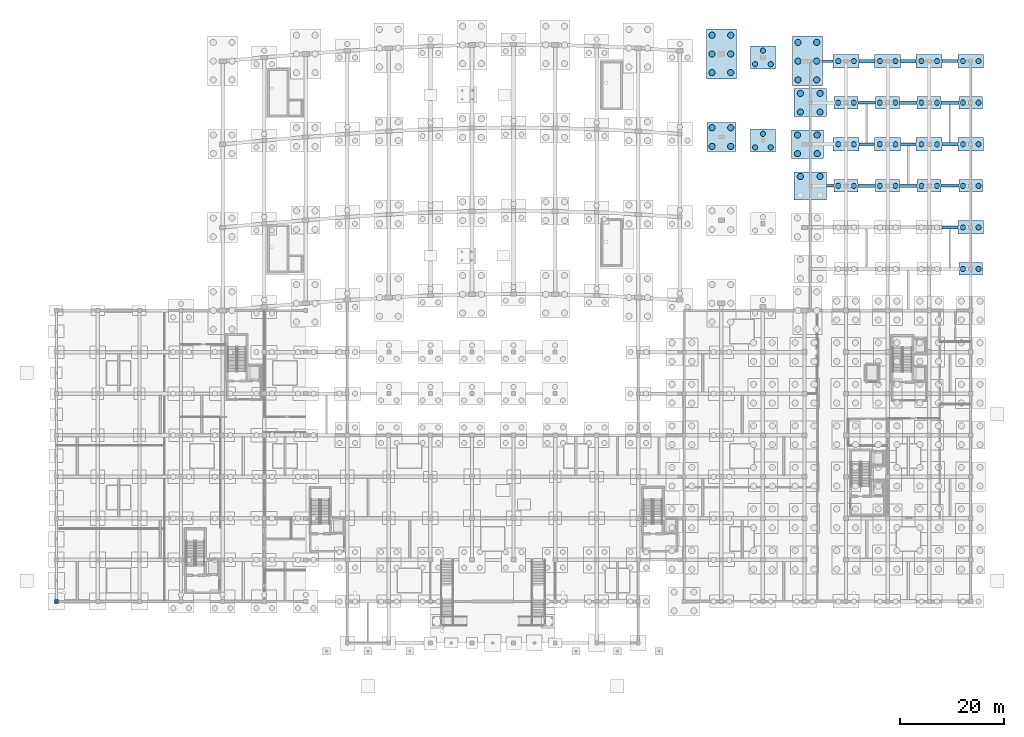
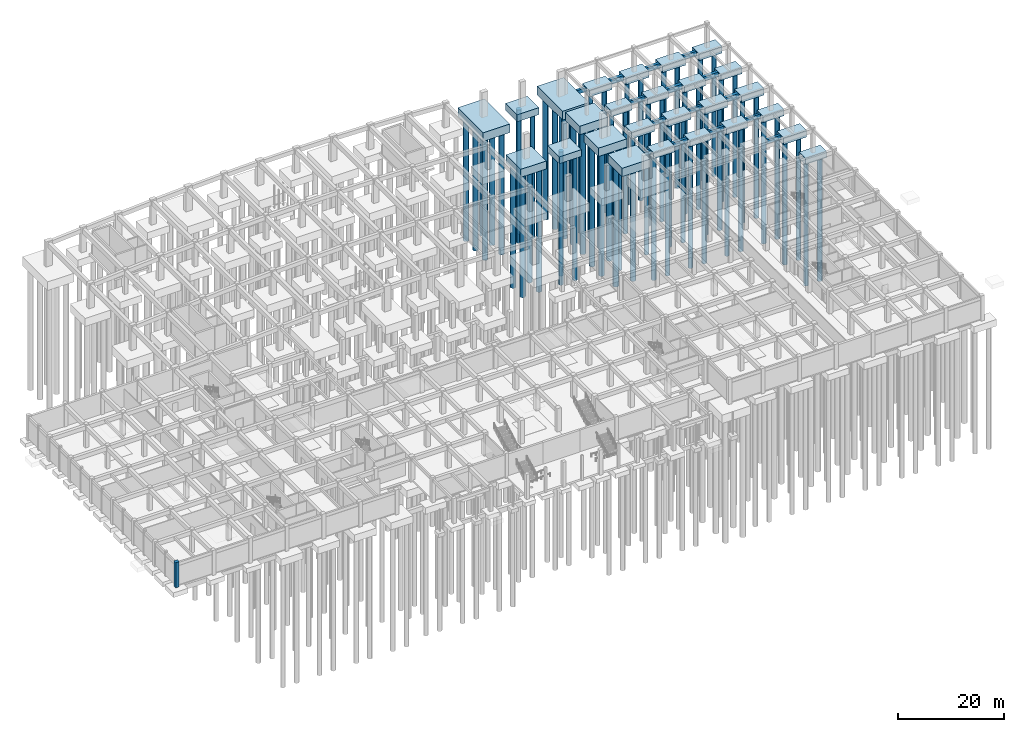
# One storey, part 9 of 45: 68 piles, 41 footings, 1 column.
"""IFC4 building model written with IfcOpenShell, lengths in metres."""

from ifc_helpers import new_model, si_unit, direction, frame, origin, origin_2d, place, context, subcontext, project, spatial, rectangle, circle, extrude, material, material_profile, profile_set, type_object, element, save


model = new_model("IFC4")

# Units and contexts
model_context = context("Model", 3, precision=1e-05, world=origin(), true_north=direction((0.0, 1.0)))
body_context = subcontext(model_context, "Body", "Model", "MODEL_VIEW")
ifc_project = project(units=[si_unit("LENGTHUNIT", "METRE"), si_unit("AREAUNIT", "SQUARE_METRE"), si_unit("VOLUMEUNIT", "CUBIC_METRE"), si_unit("PLANEANGLEUNIT", "RADIAN"), si_unit("MASSUNIT", "GRAM", prefix="KILO")], contexts=[model_context])

# Site, building, storey
site_placement = place(None, origin())
site = spatial("IfcSite", under=ifc_project, at=site_placement, CompositionType="ELEMENT")
building_placement = place(site_placement, origin())
building = spatial("IfcBuilding", under=site, at=building_placement, Name="Kenh Van Central Station", CompositionType="ELEMENT")
storey_placement = place(building_placement, frame((0.0, 0.0, -5.39990234375)))
storey = spatial("IfcBuildingStorey", under=building, at=storey_placement, Name="B1", CompositionType="ELEMENT", Elevation=-5.39990234375)

# Footings
ifc_material = material(Name="Concrete C40/50", Category="concrete")
ifc_material_profile_1 = material_profile(ifc_material, rectangle(XDim=0.5, YDim=0.89990234375, at=origin_2d()), Name="RC 500x900")
ifc_profile_set_1 = profile_set([ifc_material_profile_1], Name="Concrete C40/50")
footing_type_1 = type_object("IfcFootingType", Name="FBM-500x900", PredefinedType="FOOTING_BEAM", material=ifc_profile_set_1)
footing_1_placement = place(storey_placement, frame((147.449951171875, 112.0, -0.85009765625), z_axis=(1.0, 0.0, 0.0), x_axis=(0.0, 1.0, 0.0)))
element("IfcFooting", 1, at=footing_1_placement, inside=storey, type_object=footing_type_1, Name="Ground tie beam 004", PredefinedType="FOOTING_BEAM", context=body_context, shape_type="SweptSolid", body=[
    extrude(rectangle(XDim=0.5, YDim=0.89990234375, at=origin_2d()), origin(), (0.0, 0.0, 1.0), 2.050048828125),
])
footing_2_placement = place(storey_placement, frame((148.199951171875, 88.0, -0.85009765625), z_axis=(1.0, 0.0, 0.0), x_axis=(0.0, 1.0, 0.0)))
element("IfcFooting", 2, at=footing_2_placement, inside=storey, type_object=footing_type_1, Name="Ground tie beam 129", PredefinedType="FOOTING_BEAM", context=body_context, shape_type="SweptSolid", body=[
    extrude(rectangle(XDim=0.5, YDim=0.89990234375, at=origin_2d()), origin(), (0.0, 0.0, 1.0), 1.5),
])
footing_3_placement = place(storey_placement, frame((154.300048828125, 104.0, -0.85009765625), z_axis=(1.0, 0.0, 0.0), x_axis=(0.0, 1.0, 0.0)))
element("IfcFooting", 3, at=footing_3_placement, inside=storey, type_object=footing_type_1, Name="Ground tie beam 134", PredefinedType="FOOTING_BEAM", context=body_context, shape_type="SweptSolid", body=[
    extrude(rectangle(XDim=0.5, YDim=0.89990234375, at=origin_2d()), origin(), (0.0, 0.0, 1.0), 3.39990234375),
])
footing_4_placement = place(storey_placement, frame((162.5, 96.0, -0.85009765625), z_axis=(1.0, 0.0, 0.0), x_axis=(0.0, 1.0, 0.0)))
element("IfcFooting", 4, at=footing_4_placement, inside=storey, type_object=footing_type_1, Name="Ground tie beam 139", PredefinedType="FOOTING_BEAM", context=body_context, shape_type="SweptSolid", body=[
    extrude(rectangle(XDim=0.5, YDim=0.89990234375, at=origin_2d()), origin(), (0.0, 0.0, 1.0), 3.0),
])
footing_5_placement = place(storey_placement, frame((170.300048828125, 88.0, -0.85009765625), z_axis=(1.0, 0.0, 0.0), x_axis=(0.0, 1.0, 0.0)))
element("IfcFooting", 5, at=footing_5_placement, inside=storey, type_object=footing_type_1, Name="Ground tie beam 144", PredefinedType="FOOTING_BEAM", context=body_context, shape_type="SweptSolid", body=[
    extrude(rectangle(XDim=0.5, YDim=0.89990234375, at=origin_2d()), origin(), (0.0, 0.0, 1.0), 3.39990234375),
])
ifc_material_profile_2 = material_profile(ifc_material, rectangle(XDim=0.550048828125, YDim=0.949951171875, at=origin_2d()), Name="RC 550x950")
ifc_profile_set_2 = profile_set([ifc_material_profile_2], Name="Concrete C40/50")
footing_type_2 = type_object("IfcFootingType", Name="FBM-550x950", PredefinedType="FOOTING_BEAM", material=ifc_profile_set_2)
footing_6_placement = place(storey_placement, frame((154.5, 96.0, -0.875), z_axis=(1.0, 0.0, 0.0), x_axis=(0.0, 1.0, 0.0)))
element("IfcFooting", 6, at=footing_6_placement, inside=storey, type_object=footing_type_2, Name="Ground tie beam 133", PredefinedType="FOOTING_BEAM", context=body_context, shape_type="SweptSolid", body=[
    extrude(rectangle(XDim=0.550048828125, YDim=0.949951171875, at=origin_2d()), origin(), (0.0, 0.0, 1.0), 3.0),
])
footing_7_placement = place(storey_placement, frame((162.300048828125, 88.0, -0.875), z_axis=(1.0, 0.0, 0.0), x_axis=(0.0, 1.0, 0.0)))
element("IfcFooting", 7, at=footing_7_placement, inside=storey, type_object=footing_type_2, Name="Ground tie beam 138", PredefinedType="FOOTING_BEAM", context=body_context, shape_type="SweptSolid", body=[
    extrude(rectangle(XDim=0.550048828125, YDim=0.949951171875, at=origin_2d()), origin(), (0.0, 0.0, 1.0), 3.39990234375),
])
footing_8_placement = place(storey_placement, frame((170.5, 80.0, -0.875), z_axis=(1.0, 0.0, 0.0), x_axis=(0.0, 1.0, 0.0)))
element("IfcFooting", 8, at=footing_8_placement, inside=storey, type_object=footing_type_2, Name="Ground tie beam 143", PredefinedType="FOOTING_BEAM", context=body_context, shape_type="SweptSolid", body=[
    extrude(rectangle(XDim=0.550048828125, YDim=0.949951171875, at=origin_2d()), origin(), (0.0, 0.0, 1.0), 3.0),
])
ifc_material_profile_3 = material_profile(ifc_material, rectangle(XDim=0.60009765625, YDim=1.0, at=origin_2d()), Name="RC 600x1000")
ifc_profile_set_3 = profile_set([ifc_material_profile_3], Name="Concrete C40/50")
footing_type_3 = type_object("IfcFootingType", Name="FBM-600x1000", PredefinedType="FOOTING_BEAM", material=ifc_profile_set_3)
footing_9_placement = place(storey_placement, frame((154.300048828125, 88.0, -0.900146484375), z_axis=(1.0, 0.0, 0.0), x_axis=(0.0, 1.0, 0.0)))
element("IfcFooting", 9, at=footing_9_placement, inside=storey, type_object=footing_type_3, Name="Ground tie beam 132", PredefinedType="FOOTING_BEAM", context=body_context, shape_type="SweptSolid", body=[
    extrude(rectangle(XDim=0.60009765625, YDim=1.0, at=origin_2d()), origin(), (0.0, 0.0, 1.0), 3.39990234375),
])
footing_10_placement = place(storey_placement, frame((170.5, 112.0, -0.900146484375), z_axis=(1.0, 0.0, 0.0), x_axis=(0.0, 1.0, 0.0)))
element("IfcFooting", 10, at=footing_10_placement, inside=storey, type_object=footing_type_3, Name="Ground tie beam 147", PredefinedType="FOOTING_BEAM", context=body_context, shape_type="SweptSolid", body=[
    extrude(rectangle(XDim=0.60009765625, YDim=1.0, at=origin_2d()), origin(), (0.0, 0.0, 1.0), 3.0),
])
ifc_material_profile_4 = material_profile(ifc_material, rectangle(XDim=0.64990234375, YDim=1.050048828125, at=origin_2d()), Name="RC 650x1050")
ifc_profile_set_4 = profile_set([ifc_material_profile_4], Name="Concrete C40/50")
footing_type_4 = type_object("IfcFootingType", Name="FBM-650x1050", PredefinedType="FOOTING_BEAM", material=ifc_profile_set_4)
footing_11_placement = place(storey_placement, frame((162.5, 112.0, -0.925048828125), z_axis=(1.0, 0.0, 0.0), x_axis=(0.0, 1.0, 0.0)))
element("IfcFooting", 11, at=footing_11_placement, inside=storey, type_object=footing_type_4, Name="Ground tie beam 141", PredefinedType="FOOTING_BEAM", context=body_context, shape_type="SweptSolid", body=[
    extrude(rectangle(XDim=0.64990234375, YDim=1.050048828125, at=origin_2d()), origin(), (0.0, 0.0, 1.0), 3.0),
])
footing_12_placement = place(storey_placement, frame((170.300048828125, 104.0, -0.925048828125), z_axis=(1.0, 0.0, 0.0), x_axis=(0.0, 1.0, 0.0)))
element("IfcFooting", 12, at=footing_12_placement, inside=storey, type_object=footing_type_4, Name="Ground tie beam 146", PredefinedType="FOOTING_BEAM", context=body_context, shape_type="SweptSolid", body=[
    extrude(rectangle(XDim=0.64990234375, YDim=1.050048828125, at=origin_2d()), origin(), (0.0, 0.0, 1.0), 3.39990234375),
])
ifc_material_profile_5 = material_profile(ifc_material, rectangle(XDim=0.699951171875, YDim=1.14990234375, at=origin_2d()), Name="RC 700x1150")
ifc_profile_set_5 = profile_set([ifc_material_profile_5], Name="Concrete C40/50")
footing_type_5 = type_object("IfcFootingType", Name="FBM-700x1150", PredefinedType="FOOTING_BEAM", material=ifc_profile_set_5)
footing_13_placement = place(storey_placement, frame((154.5, 112.0, -0.97509765625), z_axis=(1.0, 0.0, 0.0), x_axis=(0.0, 1.0, 0.0)))
element("IfcFooting", 13, at=footing_13_placement, inside=storey, type_object=footing_type_5, Name="Ground tie beam 135", PredefinedType="FOOTING_BEAM", context=body_context, shape_type="SweptSolid", body=[
    extrude(rectangle(XDim=0.699951171875, YDim=1.14990234375, at=origin_2d()), origin(), (0.0, 0.0, 1.0), 3.0),
])
footing_14_placement = place(storey_placement, frame((162.300048828125, 104.0, -0.97509765625), z_axis=(1.0, 0.0, 0.0), x_axis=(0.0, 1.0, 0.0)))
element("IfcFooting", 14, at=footing_14_placement, inside=storey, type_object=footing_type_5, Name="Ground tie beam 140", PredefinedType="FOOTING_BEAM", context=body_context, shape_type="SweptSolid", body=[
    extrude(rectangle(XDim=0.699951171875, YDim=1.14990234375, at=origin_2d()), origin(), (0.0, 0.0, 1.0), 3.39990234375),
])
footing_15_placement = place(storey_placement, frame((170.5, 96.0, -0.97509765625), z_axis=(1.0, 0.0, 0.0), x_axis=(0.0, 1.0, 0.0)))
element("IfcFooting", 15, at=footing_15_placement, inside=storey, type_object=footing_type_5, Name="Ground tie beam 145", PredefinedType="FOOTING_BEAM", context=body_context, shape_type="SweptSolid", body=[
    extrude(rectangle(XDim=0.699951171875, YDim=1.14990234375, at=origin_2d()), origin(), (0.0, 0.0, 1.0), 3.0),
])
footing_type_6 = type_object("IfcFootingType", Name="FCAP-2P-4600x2400x1450", PredefinedType="PILE_CAP", material=ifc_material)
for number, where, z_axis, x_axis, name in (
    (16, (152.0, 88.0, -1.85009765625), (0.0, 0.0, 1.0), (1.0, 0.0, 0.0), "Foundation FDN-249"),
    (17, (152.0, 104.0, -1.85009765625), (0.0, 0.0, 1.0), (1.0, 0.0, 0.0), "Foundation FDN-251"),
    (18, (160.0, 88.0, -1.85009765625), (0.0, 0.0, 1.0), (1.0, 0.0, 0.0), "Foundation FDN-255"),
    (19, (160.0, 104.0, -1.85009765625), (0.0, 0.0, 1.0), (1.0, 0.0, 0.0), "Foundation FDN-257"),
    (20, (168.0, 88.0, -1.85009765625), (0.0, 0.0, 1.0), (1.0, 0.0, 0.0), "Foundation FDN-261"),
    (21, (168.0, 104.0, -1.85009765625), (0.0, 0.0, 1.0), (1.0, 0.0, 0.0), "Foundation FDN-263"),
    (22, (176.0, 72.0, -1.85009765625), (0.0, 0.0, 1.0), (1.0, 0.0, 0.0), "Foundation FDN-265"),
    (23, (176.0, 88.0, -1.85009765625), (0.0, 0.0, 1.0), (1.0, 0.0, 0.0), "Foundation FDN-267"),
    (24, (176.0, 104.0, -1.85009765625), (0.0, 0.0, 1.0), (1.0, 0.0, 0.0), "Foundation FDN-269"),
):
    element("IfcFooting", number, at=place(storey_placement, frame(where, z_axis=z_axis, x_axis=x_axis)), inside=storey, type_object=footing_type_6, Name=name, PredefinedType="PILE_CAP", context=body_context, shape_type="SweptSolid", body=[
        extrude(rectangle(XDim=4.60009765625, YDim=2.39990234375, at=origin_2d()), origin(), (0.0, 0.0, 1.0), 1.449951171875),
    ])
footing_type_7 = type_object("IfcFootingType", Name="FCAP-2P-5000x2600x1550", PredefinedType="PILE_CAP", material=ifc_material)
for number, where, z_axis, x_axis, name in (
    (25, (152.0, 96.0, -1.9501953125), (0.0, 0.0, 1.0), (1.0, 0.0, 0.0), "Foundation FDN-250"),
    (26, (152.0, 112.0, -1.9501953125), (0.0, 0.0, 1.0), (1.0, 0.0, 0.0), "Foundation FDN-252"),
    (27, (160.0, 96.0, -1.9501953125), (0.0, 0.0, 1.0), (1.0, 0.0, 0.0), "Foundation FDN-256"),
    (28, (160.0, 112.0, -1.9501953125), (0.0, 0.0, 1.0), (1.0, 0.0, 0.0), "Foundation FDN-258"),
    (29, (168.0, 96.0, -1.9501953125), (0.0, 0.0, 1.0), (1.0, 0.0, 0.0), "Foundation FDN-262"),
    (30, (168.0, 112.0, -1.9501953125), (0.0, 0.0, 1.0), (1.0, 0.0, 0.0), "Foundation FDN-264"),
    (31, (176.0, 80.0, -1.9501953125), (0.0, 0.0, 1.0), (1.0, 0.0, 0.0), "Foundation FDN-266"),
    (32, (176.0, 96.0, -1.9501953125), (0.0, 0.0, 1.0), (1.0, 0.0, 0.0), "Foundation FDN-268"),
    (33, (176.0, 112.0, -1.9501953125), (0.0, 0.0, 1.0), (1.0, 0.0, 0.0), "Foundation FDN-270"),
):
    element("IfcFooting", number, at=place(storey_placement, frame(where, z_axis=z_axis, x_axis=x_axis)), inside=storey, type_object=footing_type_7, Name=name, PredefinedType="PILE_CAP", context=body_context, shape_type="SweptSolid", body=[
        extrude(rectangle(XDim=5.0, YDim=2.60009765625, at=origin_2d()), origin(), (0.0, 0.0, 1.0), 1.550048828125),
    ])
footing_type_8 = type_object("IfcFootingType", Name="FCAP-3P-4800x4400x1600", PredefinedType="PILE_CAP", material=ifc_material)
for number, where, z_axis, x_axis, name in (
    (34, (136.0, 96.712158203125, -2.000244140625), (0.0, 0.0, 1.0), (1.0, 0.0, 0.0), "Foundation FDN-055"),
    (35, (136.0, 112.712158203125, -2.000244140625), (0.0, 0.0, 1.0), (1.0, 0.0, 0.0), "Foundation FDN-056"),
):
    element("IfcFooting", number, at=place(storey_placement, frame(where, z_axis=z_axis, x_axis=x_axis)), inside=storey, type_object=footing_type_8, Name=name, PredefinedType="PILE_CAP", context=body_context, shape_type="SweptSolid", body=[
        extrude(rectangle(XDim=4.800048828125, YDim=4.39990234375, at=origin_2d()), origin(), (0.0, 0.0, 1.0), 1.60009765625),
    ])
footing_type_9 = type_object("IfcFootingType", Name="FCAP-4P-5600x5600x1850", PredefinedType="PILE_CAP", material=ifc_material)
footing_16_placement = place(storey_placement, frame((128.0, 97.388427734375, -2.250244140625), z_axis=(0.0, 0.0, 1.0), x_axis=(1.0, 0.0, 0.0)))
element("IfcFooting", 36, at=footing_16_placement, inside=storey, type_object=footing_type_9, Name="Foundation FDN-051", PredefinedType="PILE_CAP", context=body_context, shape_type="SweptSolid", body=[
    extrude(rectangle(XDim=5.60009765625, YDim=5.60009765625, at=origin_2d()), origin(), (0.0, 0.0, 1.0), 1.85009765625),
])
footing_type_10 = type_object("IfcFootingType", Name="FCAP-4P-6200x5400x1950", PredefinedType="PILE_CAP", material=ifc_material)
for number, where, z_axis, x_axis, name in (
    (37, (144.550048828125, 96.0, -2.35009765625), (0.0, 0.0, 1.0), (1.0, 0.0, 0.0), "Foundation FDN-059"),
    (38, (145.10009765625, 88.0, -2.35009765625), (0.0, 0.0, 1.0), (1.0, 0.0, 0.0), "Foundation FDN-245"),
    (39, (145.10009765625, 104.0, -2.35009765625), (0.0, 0.0, 1.0), (1.0, 0.0, 0.0), "Foundation FDN-246"),
):
    element("IfcFooting", number, at=place(storey_placement, frame(where, z_axis=z_axis, x_axis=x_axis)), inside=storey, type_object=footing_type_10, Name=name, PredefinedType="PILE_CAP", context=body_context, shape_type="SweptSolid", body=[
        extrude(rectangle(XDim=6.199951171875, YDim=5.39990234375, at=origin_2d()), origin(), (0.0, 0.0, 1.0), 1.949951171875),
    ])
footing_type_11 = type_object("IfcFootingType", Name="FCAP-6P-9600x5800x2000", PredefinedType="PILE_CAP", material=ifc_material)
for number, where, z_axis, x_axis, name in (
    (40, (128.0, 113.388427734375, -2.400146484375), (0.0, 0.0, 1.0), (0.0, 1.0, 0.0), "Foundation FDN-052"),
    (41, (144.550048828125, 112.0, -2.400146484375), (0.0, 0.0, 1.0), (0.0, 1.0, 0.0), "Foundation FDN-060"),
):
    element("IfcFooting", number, at=place(storey_placement, frame(where, z_axis=z_axis, x_axis=x_axis)), inside=storey, type_object=footing_type_11, Name=name, PredefinedType="PILE_CAP", context=body_context, shape_type="SweptSolid", body=[
        extrude(rectangle(XDim=9.60009765625, YDim=5.800048828125, at=origin_2d()), origin(), (0.0, 0.0, 1.0), 2.0),
    ])

# Piles
ifc_material_profile_6 = material_profile(ifc_material, circle(Radius=0.5, at=origin_2d()), Name="PILE D1000")
ifc_profile_set_6 = profile_set([ifc_material_profile_6], Name="Concrete C40/50")
pile_type_1 = type_object("IfcPileType", Name="PILE-BORED-1000", PredefinedType="BORED", material=ifc_profile_set_6)
for number, where, z_axis, x_axis, name in (
    (42, (134.5, 95.412109375, -1.900146484375), (0.0, 0.0, -1.0), (1.0, 0.0, 0.0), "Bored pile 0219"),
    (43, (137.5, 95.412109375, -1.900146484375), (0.0, 0.0, -1.0), (1.0, 0.0, 0.0), "Bored pile 0220"),
    (44, (136.0, 98.01220703125, -1.900146484375), (0.0, 0.0, -1.0), (1.0, 0.0, 0.0), "Bored pile 0221"),
    (45, (134.5, 111.412109375, -1.900146484375), (0.0, 0.0, -1.0), (1.0, 0.0, 0.0), "Bored pile 0222"),
    (46, (137.5, 111.412109375, -1.900146484375), (0.0, 0.0, -1.0), (1.0, 0.0, 0.0), "Bored pile 0223"),
    (47, (136.0, 114.01220703125, -1.900146484375), (0.0, 0.0, -1.0), (1.0, 0.0, 0.0), "Bored pile 0224"),
):
    element("IfcPile", number, at=place(storey_placement, frame(where, z_axis=z_axis, x_axis=x_axis)), inside=storey, type_object=pile_type_1, Name=name, PredefinedType="BORED", context=body_context, shape_type="SweptSolid", body=[
        extrude(circle(Radius=0.5, at=origin_2d()), origin(), (0.0, 0.0, 1.0), 28.699951171875),
    ])
for number, where, z_axis, x_axis, name in (
    (48, (150.5, 88.0, -1.75), (0.0, 0.0, -1.0), (1.0, 0.0, 0.0), "Bored pile 0652"),
    (49, (153.5, 88.0, -1.75), (0.0, 0.0, -1.0), (1.0, 0.0, 0.0), "Bored pile 0653"),
):
    element("IfcPile", number, at=place(storey_placement, frame(where, z_axis=z_axis, x_axis=x_axis)), inside=storey, type_object=pile_type_1, Name=name, PredefinedType="BORED", context=body_context, shape_type="SweptSolid", body=[
        extrude(circle(Radius=0.5, at=origin_2d()), origin(), (0.0, 0.0, 1.0), 28.85009765625),
    ])
for number, where, z_axis, x_axis, name in (
    (50, (150.5, 96.0, -1.85009765625), (0.0, 0.0, -1.0), (1.0, 0.0, 0.0), "Bored pile 0654"),
    (51, (153.5, 96.0, -1.85009765625), (0.0, 0.0, -1.0), (1.0, 0.0, 0.0), "Bored pile 0655"),
):
    element("IfcPile", number, at=place(storey_placement, frame(where, z_axis=z_axis, x_axis=x_axis)), inside=storey, type_object=pile_type_1, Name=name, PredefinedType="BORED", context=body_context, shape_type="SweptSolid", body=[
        extrude(circle(Radius=0.5, at=origin_2d()), origin(), (0.0, 0.0, 1.0), 28.75),
    ])
for number, where, z_axis, x_axis, name in (
    (52, (150.5, 104.0, -1.75), (0.0, 0.0, -1.0), (1.0, 0.0, 0.0), "Bored pile 0656"),
    (53, (153.5, 104.0, -1.75), (0.0, 0.0, -1.0), (1.0, 0.0, 0.0), "Bored pile 0657"),
):
    element("IfcPile", number, at=place(storey_placement, frame(where, z_axis=z_axis, x_axis=x_axis)), inside=storey, type_object=pile_type_1, Name=name, PredefinedType="BORED", context=body_context, shape_type="SweptSolid", body=[
        extrude(circle(Radius=0.5, at=origin_2d()), origin(), (0.0, 0.0, 1.0), 28.85009765625),
    ])
for number, where, z_axis, x_axis, name in (
    (54, (150.5, 112.0, -1.85009765625), (0.0, 0.0, -1.0), (1.0, 0.0, 0.0), "Bored pile 0658"),
    (55, (153.5, 112.0, -1.85009765625), (0.0, 0.0, -1.0), (1.0, 0.0, 0.0), "Bored pile 0659"),
):
    element("IfcPile", number, at=place(storey_placement, frame(where, z_axis=z_axis, x_axis=x_axis)), inside=storey, type_object=pile_type_1, Name=name, PredefinedType="BORED", context=body_context, shape_type="SweptSolid", body=[
        extrude(circle(Radius=0.5, at=origin_2d()), origin(), (0.0, 0.0, 1.0), 28.75),
    ])
for number, where, z_axis, x_axis, name in (
    (56, (158.5, 88.0, -1.75), (0.0, 0.0, -1.0), (1.0, 0.0, 0.0), "Bored pile 0664"),
    (57, (161.5, 88.0, -1.75), (0.0, 0.0, -1.0), (1.0, 0.0, 0.0), "Bored pile 0665"),
):
    element("IfcPile", number, at=place(storey_placement, frame(where, z_axis=z_axis, x_axis=x_axis)), inside=storey, type_object=pile_type_1, Name=name, PredefinedType="BORED", context=body_context, shape_type="SweptSolid", body=[
        extrude(circle(Radius=0.5, at=origin_2d()), origin(), (0.0, 0.0, 1.0), 28.85009765625),
    ])
for number, where, z_axis, x_axis, name in (
    (58, (158.5, 96.0, -1.85009765625), (0.0, 0.0, -1.0), (1.0, 0.0, 0.0), "Bored pile 0666"),
    (59, (161.5, 96.0, -1.85009765625), (0.0, 0.0, -1.0), (1.0, 0.0, 0.0), "Bored pile 0667"),
):
    element("IfcPile", number, at=place(storey_placement, frame(where, z_axis=z_axis, x_axis=x_axis)), inside=storey, type_object=pile_type_1, Name=name, PredefinedType="BORED", context=body_context, shape_type="SweptSolid", body=[
        extrude(circle(Radius=0.5, at=origin_2d()), origin(), (0.0, 0.0, 1.0), 28.75),
    ])
for number, where, z_axis, x_axis, name in (
    (60, (158.5, 104.0, -1.75), (0.0, 0.0, -1.0), (1.0, 0.0, 0.0), "Bored pile 0668"),
    (61, (161.5, 104.0, -1.75), (0.0, 0.0, -1.0), (1.0, 0.0, 0.0), "Bored pile 0669"),
):
    element("IfcPile", number, at=place(storey_placement, frame(where, z_axis=z_axis, x_axis=x_axis)), inside=storey, type_object=pile_type_1, Name=name, PredefinedType="BORED", context=body_context, shape_type="SweptSolid", body=[
        extrude(circle(Radius=0.5, at=origin_2d()), origin(), (0.0, 0.0, 1.0), 28.85009765625),
    ])
for number, where, z_axis, x_axis, name in (
    (62, (158.5, 112.0, -1.85009765625), (0.0, 0.0, -1.0), (1.0, 0.0, 0.0), "Bored pile 0670"),
    (63, (161.5, 112.0, -1.85009765625), (0.0, 0.0, -1.0), (1.0, 0.0, 0.0), "Bored pile 0671"),
):
    element("IfcPile", number, at=place(storey_placement, frame(where, z_axis=z_axis, x_axis=x_axis)), inside=storey, type_object=pile_type_1, Name=name, PredefinedType="BORED", context=body_context, shape_type="SweptSolid", body=[
        extrude(circle(Radius=0.5, at=origin_2d()), origin(), (0.0, 0.0, 1.0), 28.75),
    ])
for number, where, z_axis, x_axis, name in (
    (64, (166.5, 88.0, -1.75), (0.0, 0.0, -1.0), (1.0, 0.0, 0.0), "Bored pile 0676"),
    (65, (169.5, 88.0, -1.75), (0.0, 0.0, -1.0), (1.0, 0.0, 0.0), "Bored pile 0677"),
):
    element("IfcPile", number, at=place(storey_placement, frame(where, z_axis=z_axis, x_axis=x_axis)), inside=storey, type_object=pile_type_1, Name=name, PredefinedType="BORED", context=body_context, shape_type="SweptSolid", body=[
        extrude(circle(Radius=0.5, at=origin_2d()), origin(), (0.0, 0.0, 1.0), 28.85009765625),
    ])
for number, where, z_axis, x_axis, name in (
    (66, (166.5, 96.0, -1.85009765625), (0.0, 0.0, -1.0), (1.0, 0.0, 0.0), "Bored pile 0678"),
    (67, (169.5, 96.0, -1.85009765625), (0.0, 0.0, -1.0), (1.0, 0.0, 0.0), "Bored pile 0679"),
):
    element("IfcPile", number, at=place(storey_placement, frame(where, z_axis=z_axis, x_axis=x_axis)), inside=storey, type_object=pile_type_1, Name=name, PredefinedType="BORED", context=body_context, shape_type="SweptSolid", body=[
        extrude(circle(Radius=0.5, at=origin_2d()), origin(), (0.0, 0.0, 1.0), 28.75),
    ])
for number, where, z_axis, x_axis, name in (
    (68, (166.5, 104.0, -1.75), (0.0, 0.0, -1.0), (1.0, 0.0, 0.0), "Bored pile 0680"),
    (69, (169.5, 104.0, -1.75), (0.0, 0.0, -1.0), (1.0, 0.0, 0.0), "Bored pile 0681"),
):
    element("IfcPile", number, at=place(storey_placement, frame(where, z_axis=z_axis, x_axis=x_axis)), inside=storey, type_object=pile_type_1, Name=name, PredefinedType="BORED", context=body_context, shape_type="SweptSolid", body=[
        extrude(circle(Radius=0.5, at=origin_2d()), origin(), (0.0, 0.0, 1.0), 28.85009765625),
    ])
for number, where, z_axis, x_axis, name in (
    (70, (166.5, 112.0, -1.85009765625), (0.0, 0.0, -1.0), (1.0, 0.0, 0.0), "Bored pile 0682"),
    (71, (169.5, 112.0, -1.85009765625), (0.0, 0.0, -1.0), (1.0, 0.0, 0.0), "Bored pile 0683"),
):
    element("IfcPile", number, at=place(storey_placement, frame(where, z_axis=z_axis, x_axis=x_axis)), inside=storey, type_object=pile_type_1, Name=name, PredefinedType="BORED", context=body_context, shape_type="SweptSolid", body=[
        extrude(circle(Radius=0.5, at=origin_2d()), origin(), (0.0, 0.0, 1.0), 28.75),
    ])
for number, where, z_axis, x_axis, name in (
    (72, (174.5, 72.0, -1.75), (0.0, 0.0, -1.0), (1.0, 0.0, 0.0), "Bored pile 0684"),
    (73, (177.5, 72.0, -1.75), (0.0, 0.0, -1.0), (1.0, 0.0, 0.0), "Bored pile 0685"),
):
    element("IfcPile", number, at=place(storey_placement, frame(where, z_axis=z_axis, x_axis=x_axis)), inside=storey, type_object=pile_type_1, Name=name, PredefinedType="BORED", context=body_context, shape_type="SweptSolid", body=[
        extrude(circle(Radius=0.5, at=origin_2d()), origin(), (0.0, 0.0, 1.0), 28.85009765625),
    ])
for number, where, z_axis, x_axis, name in (
    (74, (174.5, 80.0, -1.85009765625), (0.0, 0.0, -1.0), (1.0, 0.0, 0.0), "Bored pile 0686"),
    (75, (177.5, 80.0, -1.85009765625), (0.0, 0.0, -1.0), (1.0, 0.0, 0.0), "Bored pile 0687"),
):
    element("IfcPile", number, at=place(storey_placement, frame(where, z_axis=z_axis, x_axis=x_axis)), inside=storey, type_object=pile_type_1, Name=name, PredefinedType="BORED", context=body_context, shape_type="SweptSolid", body=[
        extrude(circle(Radius=0.5, at=origin_2d()), origin(), (0.0, 0.0, 1.0), 28.75),
    ])
for number, where, z_axis, x_axis, name in (
    (76, (174.5, 88.0, -1.75), (0.0, 0.0, -1.0), (1.0, 0.0, 0.0), "Bored pile 0688"),
    (77, (177.5, 88.0, -1.75), (0.0, 0.0, -1.0), (1.0, 0.0, 0.0), "Bored pile 0689"),
):
    element("IfcPile", number, at=place(storey_placement, frame(where, z_axis=z_axis, x_axis=x_axis)), inside=storey, type_object=pile_type_1, Name=name, PredefinedType="BORED", context=body_context, shape_type="SweptSolid", body=[
        extrude(circle(Radius=0.5, at=origin_2d()), origin(), (0.0, 0.0, 1.0), 28.85009765625),
    ])
for number, where, z_axis, x_axis, name in (
    (78, (174.5, 96.0, -1.85009765625), (0.0, 0.0, -1.0), (1.0, 0.0, 0.0), "Bored pile 0690"),
    (79, (177.5, 96.0, -1.85009765625), (0.0, 0.0, -1.0), (1.0, 0.0, 0.0), "Bored pile 0691"),
):
    element("IfcPile", number, at=place(storey_placement, frame(where, z_axis=z_axis, x_axis=x_axis)), inside=storey, type_object=pile_type_1, Name=name, PredefinedType="BORED", context=body_context, shape_type="SweptSolid", body=[
        extrude(circle(Radius=0.5, at=origin_2d()), origin(), (0.0, 0.0, 1.0), 28.75),
    ])
for number, where, z_axis, x_axis, name in (
    (80, (174.5, 104.0, -1.75), (0.0, 0.0, -1.0), (1.0, 0.0, 0.0), "Bored pile 0692"),
    (81, (177.5, 104.0, -1.75), (0.0, 0.0, -1.0), (1.0, 0.0, 0.0), "Bored pile 0693"),
):
    element("IfcPile", number, at=place(storey_placement, frame(where, z_axis=z_axis, x_axis=x_axis)), inside=storey, type_object=pile_type_1, Name=name, PredefinedType="BORED", context=body_context, shape_type="SweptSolid", body=[
        extrude(circle(Radius=0.5, at=origin_2d()), origin(), (0.0, 0.0, 1.0), 28.85009765625),
    ])
for number, where, z_axis, x_axis, name in (
    (82, (174.5, 112.0, -1.85009765625), (0.0, 0.0, -1.0), (1.0, 0.0, 0.0), "Bored pile 0694"),
    (83, (177.5, 112.0, -1.85009765625), (0.0, 0.0, -1.0), (1.0, 0.0, 0.0), "Bored pile 0695"),
):
    element("IfcPile", number, at=place(storey_placement, frame(where, z_axis=z_axis, x_axis=x_axis)), inside=storey, type_object=pile_type_1, Name=name, PredefinedType="BORED", context=body_context, shape_type="SweptSolid", body=[
        extrude(circle(Radius=0.5, at=origin_2d()), origin(), (0.0, 0.0, 1.0), 28.75),
    ])
ifc_material_profile_7 = material_profile(ifc_material, circle(Radius=0.60009765625, at=origin_2d()), Name="PILE D1200")
ifc_profile_set_7 = profile_set([ifc_material_profile_7], Name="Concrete C40/50")
pile_type_2 = type_object("IfcPileType", Name="PILE-BORED-1200", PredefinedType="BORED", material=ifc_profile_set_7)
for number, where, z_axis, x_axis, name in (
    (84, (126.199951171875, 95.58837890625, -2.150146484375), (0.0, 0.0, -1.0), (1.0, 0.0, 0.0), "Bored pile 0203"),
    (85, (126.199951171875, 99.1884765625, -2.150146484375), (0.0, 0.0, -1.0), (1.0, 0.0, 0.0), "Bored pile 0204"),
    (86, (129.800048828125, 95.58837890625, -2.150146484375), (0.0, 0.0, -1.0), (1.0, 0.0, 0.0), "Bored pile 0205"),
    (87, (129.800048828125, 99.1884765625, -2.150146484375), (0.0, 0.0, -1.0), (1.0, 0.0, 0.0), "Bored pile 0206"),
):
    element("IfcPile", number, at=place(storey_placement, frame(where, z_axis=z_axis, x_axis=x_axis)), inside=storey, type_object=pile_type_2, Name=name, PredefinedType="BORED", context=body_context, shape_type="SweptSolid", body=[
        extrude(circle(Radius=0.60009765625, at=origin_2d()), origin(), (0.0, 0.0, 1.0), 28.449951171875),
    ])
for number, where, z_axis, x_axis, name in (
    (88, (126.199951171875, 109.788330078125, -2.300048828125), (0.0, 0.0, -1.0), (1.0, 0.0, 0.0), "Bored pile 0207"),
    (89, (126.199951171875, 113.388427734375, -2.300048828125), (0.0, 0.0, -1.0), (1.0, 0.0, 0.0), "Bored pile 0208"),
    (90, (126.199951171875, 116.98828125, -2.300048828125), (0.0, 0.0, -1.0), (1.0, 0.0, 0.0), "Bored pile 0209"),
    (91, (129.800048828125, 109.788330078125, -2.300048828125), (0.0, 0.0, -1.0), (1.0, 0.0, 0.0), "Bored pile 0210"),
    (92, (129.800048828125, 113.388427734375, -2.300048828125), (0.0, 0.0, -1.0), (1.0, 0.0, 0.0), "Bored pile 0211"),
    (93, (129.800048828125, 116.98828125, -2.300048828125), (0.0, 0.0, -1.0), (1.0, 0.0, 0.0), "Bored pile 0212"),
):
    element("IfcPile", number, at=place(storey_placement, frame(where, z_axis=z_axis, x_axis=x_axis)), inside=storey, type_object=pile_type_2, Name=name, PredefinedType="BORED", context=body_context, shape_type="SweptSolid", body=[
        extrude(circle(Radius=0.60009765625, at=origin_2d()), origin(), (0.0, 0.0, 1.0), 28.300048828125),
    ])
for number, where, z_axis, x_axis, name in (
    (94, (142.64990234375, 94.199951171875, -2.25), (0.0, 0.0, -1.0), (1.0, 0.0, 0.0), "Bored pile 0235"),
    (95, (142.64990234375, 97.800048828125, -2.25), (0.0, 0.0, -1.0), (1.0, 0.0, 0.0), "Bored pile 0236"),
    (96, (146.449951171875, 94.199951171875, -2.25), (0.0, 0.0, -1.0), (1.0, 0.0, 0.0), "Bored pile 0237"),
    (97, (146.449951171875, 97.800048828125, -2.25), (0.0, 0.0, -1.0), (1.0, 0.0, 0.0), "Bored pile 0238"),
):
    element("IfcPile", number, at=place(storey_placement, frame(where, z_axis=z_axis, x_axis=x_axis)), inside=storey, type_object=pile_type_2, Name=name, PredefinedType="BORED", context=body_context, shape_type="SweptSolid", body=[
        extrude(circle(Radius=0.60009765625, at=origin_2d()), origin(), (0.0, 0.0, 1.0), 28.35009765625),
    ])
for number, where, z_axis, x_axis, name in (
    (98, (142.75, 108.39990234375, -2.300048828125), (0.0, 0.0, -1.0), (1.0, 0.0, 0.0), "Bored pile 0239"),
    (99, (142.75, 112.0, -2.300048828125), (0.0, 0.0, -1.0), (1.0, 0.0, 0.0), "Bored pile 0240"),
    (100, (142.75, 115.60009765625, -2.300048828125), (0.0, 0.0, -1.0), (1.0, 0.0, 0.0), "Bored pile 0241"),
    (101, (146.35009765625, 108.39990234375, -2.300048828125), (0.0, 0.0, -1.0), (1.0, 0.0, 0.0), "Bored pile 0242"),
    (102, (146.35009765625, 112.0, -2.300048828125), (0.0, 0.0, -1.0), (1.0, 0.0, 0.0), "Bored pile 0243"),
    (103, (146.35009765625, 115.60009765625, -2.300048828125), (0.0, 0.0, -1.0), (1.0, 0.0, 0.0), "Bored pile 0244"),
):
    element("IfcPile", number, at=place(storey_placement, frame(where, z_axis=z_axis, x_axis=x_axis)), inside=storey, type_object=pile_type_2, Name=name, PredefinedType="BORED", context=body_context, shape_type="SweptSolid", body=[
        extrude(circle(Radius=0.60009765625, at=origin_2d()), origin(), (0.0, 0.0, 1.0), 28.300048828125),
    ])
for number, where, z_axis, x_axis, name in (
    (104, (143.199951171875, 89.800048828125, -2.25), (0.0, 0.0, -1.0), (1.0, 0.0, 0.0), "Bored pile 0641"),
    (105, (147.0, 89.800048828125, -2.25), (0.0, 0.0, -1.0), (1.0, 0.0, 0.0), "Bored pile 0643"),
    (106, (143.199951171875, 102.199951171875, -2.25), (0.0, 0.0, -1.0), (1.0, 0.0, 0.0), "Bored pile 0644"),
    (107, (143.199951171875, 105.800048828125, -2.25), (0.0, 0.0, -1.0), (1.0, 0.0, 0.0), "Bored pile 0645"),
    (108, (147.0, 102.199951171875, -2.25), (0.0, 0.0, -1.0), (1.0, 0.0, 0.0), "Bored pile 0646"),
    (109, (147.0, 105.800048828125, -2.25), (0.0, 0.0, -1.0), (1.0, 0.0, 0.0), "Bored pile 0647"),
):
    element("IfcPile", number, at=place(storey_placement, frame(where, z_axis=z_axis, x_axis=x_axis)), inside=storey, type_object=pile_type_2, Name=name, PredefinedType="BORED", context=body_context, shape_type="SweptSolid", body=[
        extrude(circle(Radius=0.60009765625, at=origin_2d()), origin(), (0.0, 0.0, 1.0), 28.35009765625),
    ])

# Column
ifc_material_profile_8 = material_profile(ifc_material, rectangle(XDim=0.75, YDim=0.75, at=origin_2d()), Name="RC 750x750")
ifc_profile_set_8 = profile_set([ifc_material_profile_8], Name="Concrete C40/50")
column_type = type_object("IfcColumnType", Name="COL-RC-750x750", PredefinedType="COLUMN", material=ifc_profile_set_8)
column_placement = place(storey_placement, frame((0.0, 8.0, -0.400146484375), z_axis=(0.0, 0.0, 1.0), x_axis=(1.0, 0.0, 0.0)))
element("IfcColumn", 110, at=column_placement, inside=storey, type_object=column_type, Name="B1 column CW-000-008", PredefinedType="COLUMN", context=body_context, shape_type="SweptSolid", body=[
    extrude(rectangle(XDim=0.75, YDim=0.75, at=origin_2d()), origin(), (0.0, 0.0, 1.0), 5.800048828125),
])

save(model, "model.ifc")
